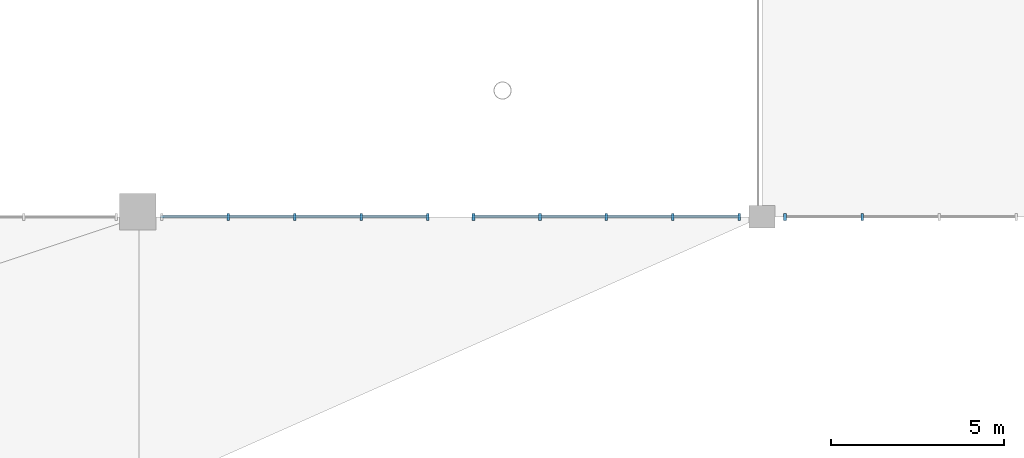
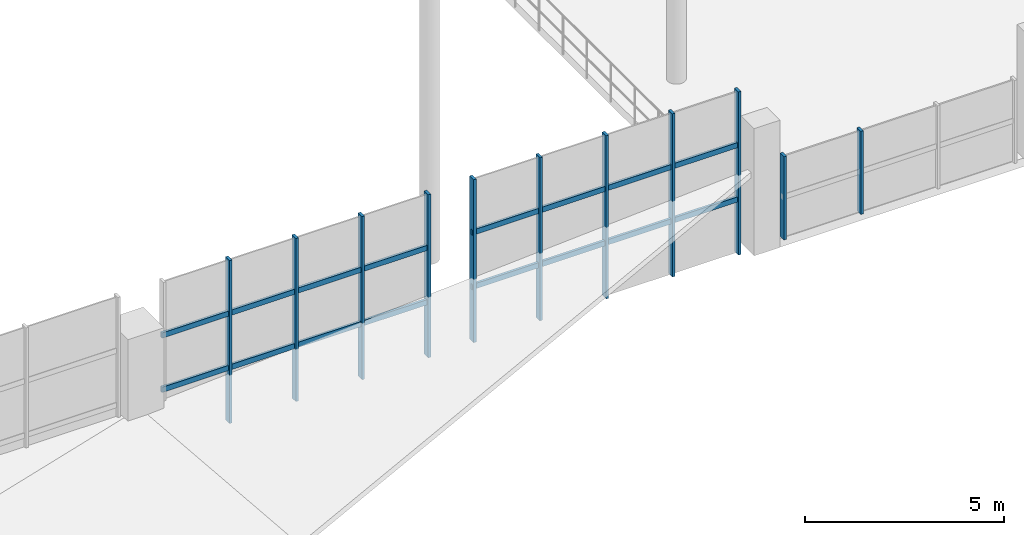
# One storey, part 26 of 123: 15 members, 3 elements without a shape of their own.
"""IFC4 building model written with IfcOpenShell, lengths in metres."""

from ifc_helpers import new_model, si_unit, derived_unit, direction, frame, origin, origin_2d, place, context, subcontext, project, spatial, rectangle, extrude, material, layer, layer_set, material_profile, profile_set, type_object, element, aggregate, save


model = new_model("IFC4")

# Units and contexts
model_context = context("Model", 3, precision=1e-05, world=origin(), true_north=direction((0.0, 1.0)))
body_context = subcontext(model_context, "Body", "Model", "MODEL_VIEW")
ifc_project = project(units=[si_unit("LENGTHUNIT", "METRE"), si_unit("AREAUNIT", "SQUARE_METRE"), si_unit("VOLUMEUNIT", "CUBIC_METRE"), si_unit("PLANEANGLEUNIT", "RADIAN"), si_unit("MASSUNIT", "GRAM", prefix="KILO"), si_unit("THERMODYNAMICTEMPERATUREUNIT", "KELVIN"), derived_unit("THERMALTRANSMITTANCEUNIT", [(si_unit("POWERUNIT", "WATT"), 1), (si_unit("AREAUNIT", "SQUARE_METRE"), -1), (si_unit("THERMODYNAMICTEMPERATUREUNIT", "KELVIN"), -1)])], contexts=[model_context])

# Site, building, storey
site_placement = place(None, origin())
site = spatial("IfcSite", under=ifc_project, at=site_placement, CompositionType="ELEMENT")
building_placement = place(site_placement, origin())
building = spatial("IfcBuilding", under=site, at=building_placement, Name="Haiyu Intermodal Mobility Hub", CompositionType="ELEMENT")
storey_placement = place(building_placement, frame((0.0, 0.0, 5.60009765625)))
storey = spatial("IfcBuildingStorey", under=building, at=storey_placement, Name="L01", CompositionType="ELEMENT", Elevation=5.60009765625)

# Curtain wall, members
ifc_material_1 = material(Name="Low-e laminated insulating glass", Category="glass")
ifc_layer = layer(ifc_material_1, 0.219970703125)
ifc_layer_set = layer_set([ifc_layer], Name="Low-e laminated insulating glass")
curtain_wall_type = type_object("IfcCurtainWallType", Name="CW-CW01", PredefinedType="NOTDEFINED", material=ifc_layer_set)
curtain_wall_1_placement = place(storey_placement, origin())
curtain_wall_1 = element("IfcCurtainWall", 1, at=curtain_wall_1_placement, inside=storey, type_object=curtain_wall_type, Name="Curtain Wall CW-V1S-UP-014", PredefinedType="NOTDEFINED")
ifc_material_2 = material(Name="Anodised aluminium 6063-T6", Category="aluminium")
ifc_material_profile_1 = material_profile(ifc_material_2, rectangle(XDim=0.074951171875, YDim=0.199951171875, at=origin_2d()), Name="ALU75x200")
ifc_profile_set_1 = profile_set([ifc_material_profile_1], Name="Anodised aluminium 6063-T6")
member_type_1 = type_object("IfcMemberType", Name="CWM-ML01", PredefinedType="MULLION", material=ifc_profile_set_1)
member_1_placement = place(storey_placement, frame((122.580078125, 40.0, 0.0), z_axis=(0.0, 0.0, 1.0), x_axis=(1.0, 0.0, 0.0)))
member_1 = element("IfcMember", 2, at=member_1_placement, type_object=member_type_1, Name="CW-V1S-UP-014-ML02", PredefinedType="MULLION", context=body_context, shape_type="SweptSolid", body=[
    extrude(rectangle(XDim=0.074951171875, YDim=0.199951171875, at=origin_2d()), origin(), (0.0, 0.0, 1.0), 5.0),
])
member_2_placement = place(storey_placement, frame((124.5, 40.0, 0.0), z_axis=(0.0, 0.0, 1.0), x_axis=(1.0, 0.0, 0.0)))
member_2 = element("IfcMember", 3, at=member_2_placement, type_object=member_type_1, Name="CW-V1S-UP-014-ML03", PredefinedType="MULLION", context=body_context, shape_type="SweptSolid", body=[
    extrude(rectangle(XDim=0.074951171875, YDim=0.199951171875, at=origin_2d()), origin(), (0.0, 0.0, 1.0), 5.0),
])
member_3_placement = place(storey_placement, frame((126.419921875, 40.0, 0.0), z_axis=(0.0, 0.0, 1.0), x_axis=(1.0, 0.0, 0.0)))
member_3 = element("IfcMember", 4, at=member_3_placement, type_object=member_type_1, Name="CW-V1S-UP-014-ML04", PredefinedType="MULLION", context=body_context, shape_type="SweptSolid", body=[
    extrude(rectangle(XDim=0.074951171875, YDim=0.199951171875, at=origin_2d()), origin(), (0.0, 0.0, 1.0), 5.0),
])
member_4_placement = place(storey_placement, frame((128.340087890625, 40.0, 0.0), z_axis=(0.0, 0.0, 1.0), x_axis=(1.0, 0.0, 0.0)))
member_4 = element("IfcMember", 5, at=member_4_placement, type_object=member_type_1, Name="CW-V1S-UP-014-ML05", PredefinedType="MULLION", context=body_context, shape_type="SweptSolid", body=[
    extrude(rectangle(XDim=0.074951171875, YDim=0.199951171875, at=origin_2d()), origin(), (0.0, 0.0, 1.0), 5.0),
])

curtain_wall_2_placement = place(storey_placement, origin())
curtain_wall_2 = element("IfcCurtainWall", 6, at=curtain_wall_2_placement, inside=storey, type_object=curtain_wall_type, Name="Curtain Wall CW-V1S-UP-016", PredefinedType="NOTDEFINED")
member_5_placement = place(storey_placement, frame((129.659912109375, 40.0, 0.0), z_axis=(0.0, 0.0, 1.0), x_axis=(1.0, 0.0, 0.0)))
member_5 = element("IfcMember", 7, at=member_5_placement, type_object=member_type_1, Name="CW-V1S-UP-016-ML01", PredefinedType="MULLION", context=body_context, shape_type="SweptSolid", body=[
    extrude(rectangle(XDim=0.074951171875, YDim=0.199951171875, at=origin_2d()), origin(), (0.0, 0.0, 1.0), 5.0),
])
member_6_placement = place(storey_placement, frame((131.580078125, 40.0, 0.0), z_axis=(0.0, 0.0, 1.0), x_axis=(1.0, 0.0, 0.0)))
member_6 = element("IfcMember", 8, at=member_6_placement, type_object=member_type_1, Name="CW-V1S-UP-016-ML02", PredefinedType="MULLION", context=body_context, shape_type="SweptSolid", body=[
    extrude(rectangle(XDim=0.074951171875, YDim=0.199951171875, at=origin_2d()), origin(), (0.0, 0.0, 1.0), 5.0),
])
member_7_placement = place(storey_placement, frame((133.5, 40.0, 0.0), z_axis=(0.0, 0.0, 1.0), x_axis=(1.0, 0.0, 0.0)))
member_7 = element("IfcMember", 9, at=member_7_placement, type_object=member_type_1, Name="CW-V1S-UP-016-ML03", PredefinedType="MULLION", context=body_context, shape_type="SweptSolid", body=[
    extrude(rectangle(XDim=0.074951171875, YDim=0.199951171875, at=origin_2d()), origin(), (0.0, 0.0, 1.0), 5.0),
])
member_8_placement = place(storey_placement, frame((135.419921875, 40.0, 0.0), z_axis=(0.0, 0.0, 1.0), x_axis=(1.0, 0.0, 0.0)))
member_8 = element("IfcMember", 10, at=member_8_placement, type_object=member_type_1, Name="CW-V1S-UP-016-ML04", PredefinedType="MULLION", context=body_context, shape_type="SweptSolid", body=[
    extrude(rectangle(XDim=0.074951171875, YDim=0.199951171875, at=origin_2d()), origin(), (0.0, 0.0, 1.0), 5.0),
])
member_9_placement = place(storey_placement, frame((137.340087890625, 40.0, 0.0), z_axis=(0.0, 0.0, 1.0), x_axis=(1.0, 0.0, 0.0)))
member_9 = element("IfcMember", 11, at=member_9_placement, type_object=member_type_1, Name="CW-V1S-UP-016-ML05", PredefinedType="MULLION", context=body_context, shape_type="SweptSolid", body=[
    extrude(rectangle(XDim=0.074951171875, YDim=0.199951171875, at=origin_2d()), origin(), (0.0, 0.0, 1.0), 5.0),
])

curtain_wall_3_placement = place(storey_placement, origin())
curtain_wall_3 = element("IfcCurtainWall", 12, at=curtain_wall_3_placement, inside=storey, type_object=curtain_wall_type, Name="Curtain Wall CW-V1S-L01-018", PredefinedType="NOTDEFINED")
member_10_placement = place(storey_placement, frame((138.659912109375, 40.0, 0.0), z_axis=(0.0, 0.0, 1.0), x_axis=(1.0, 0.0, 0.0)))
member_10 = element("IfcMember", 13, at=member_10_placement, type_object=member_type_1, Name="CW-V1S-L01-018-ML01", PredefinedType="MULLION", context=body_context, shape_type="SweptSolid", body=[
    extrude(rectangle(XDim=0.074951171875, YDim=0.199951171875, at=origin_2d()), origin(), (0.0, 0.0, 1.0), 2.5498046875),
])
member_11_placement = place(storey_placement, frame((140.886962890625, 40.0, 0.0), z_axis=(0.0, 0.0, 1.0), x_axis=(1.0, 0.0, 0.0)))
member_11 = element("IfcMember", 14, at=member_11_placement, type_object=member_type_1, Name="CW-V1S-L01-018-ML02", PredefinedType="MULLION", context=body_context, shape_type="SweptSolid", body=[
    extrude(rectangle(XDim=0.074951171875, YDim=0.199951171875, at=origin_2d()), origin(), (0.0, 0.0, 1.0), 2.5498046875),
])
aggregate(curtain_wall_3, [member_10, member_11])

# Member
ifc_material_profile_2 = material_profile(ifc_material_2, rectangle(XDim=0.074951171875, YDim=0.159912109375, at=origin_2d()), Name="ALU75x160")
ifc_profile_set_2 = profile_set([ifc_material_profile_2], Name="Anodised aluminium 6063-T6")
member_type_2 = type_object("IfcMemberType", Name="CWM-TR01", PredefinedType="USERDEFINED", material=ifc_profile_set_2)
member_12_placement = place(storey_placement, frame((120.6201171875, 40.0, 1.6669921875), z_axis=(1.0, 0.0, 0.0), x_axis=(0.0, 1.0, 0.0)))
member_12 = element("IfcMember", 15, at=member_12_placement, type_object=member_type_2, Name="CW-V1S-UP-014-TR01", ObjectType="TRANSOM", PredefinedType="USERDEFINED", context=body_context, shape_type="SweptSolid", body=[
    extrude(rectangle(XDim=0.074951171875, YDim=0.159912109375, at=origin_2d()), origin(), (0.0, 0.0, 1.0), 7.759765625),
])

member_13_placement = place(storey_placement, frame((120.6201171875, 40.0, 3.3330078125), z_axis=(1.0, 0.0, 0.0), x_axis=(0.0, 1.0, 0.0)))
member_13 = element("IfcMember", 16, at=member_13_placement, type_object=member_type_2, Name="CW-V1S-UP-014-TR02", ObjectType="TRANSOM", PredefinedType="USERDEFINED", context=body_context, shape_type="SweptSolid", body=[
    extrude(rectangle(XDim=0.074951171875, YDim=0.159912109375, at=origin_2d()), origin(), (0.0, 0.0, 1.0), 7.759765625),
])

aggregate(curtain_wall_1, [member_1, member_2, member_3, member_4, member_12, member_13])

member_14_placement = place(storey_placement, frame((129.6201171875, 40.0, 1.6669921875), z_axis=(1.0, 0.0, 0.0), x_axis=(0.0, 1.0, 0.0)))
member_14 = element("IfcMember", 17, at=member_14_placement, type_object=member_type_2, Name="CW-V1S-UP-016-TR01", ObjectType="TRANSOM", PredefinedType="USERDEFINED", context=body_context, shape_type="SweptSolid", body=[
    extrude(rectangle(XDim=0.074951171875, YDim=0.159912109375, at=origin_2d()), origin(), (0.0, 0.0, 1.0), 7.759765625),
])

member_15_placement = place(storey_placement, frame((129.6201171875, 40.0, 3.3330078125), z_axis=(1.0, 0.0, 0.0), x_axis=(0.0, 1.0, 0.0)))
member_15 = element("IfcMember", 18, at=member_15_placement, type_object=member_type_2, Name="CW-V1S-UP-016-TR02", ObjectType="TRANSOM", PredefinedType="USERDEFINED", context=body_context, shape_type="SweptSolid", body=[
    extrude(rectangle(XDim=0.074951171875, YDim=0.159912109375, at=origin_2d()), origin(), (0.0, 0.0, 1.0), 7.759765625),
])

aggregate(curtain_wall_2, [member_5, member_6, member_7, member_8, member_9, member_14, member_15])

save(model, "model.ifc")
